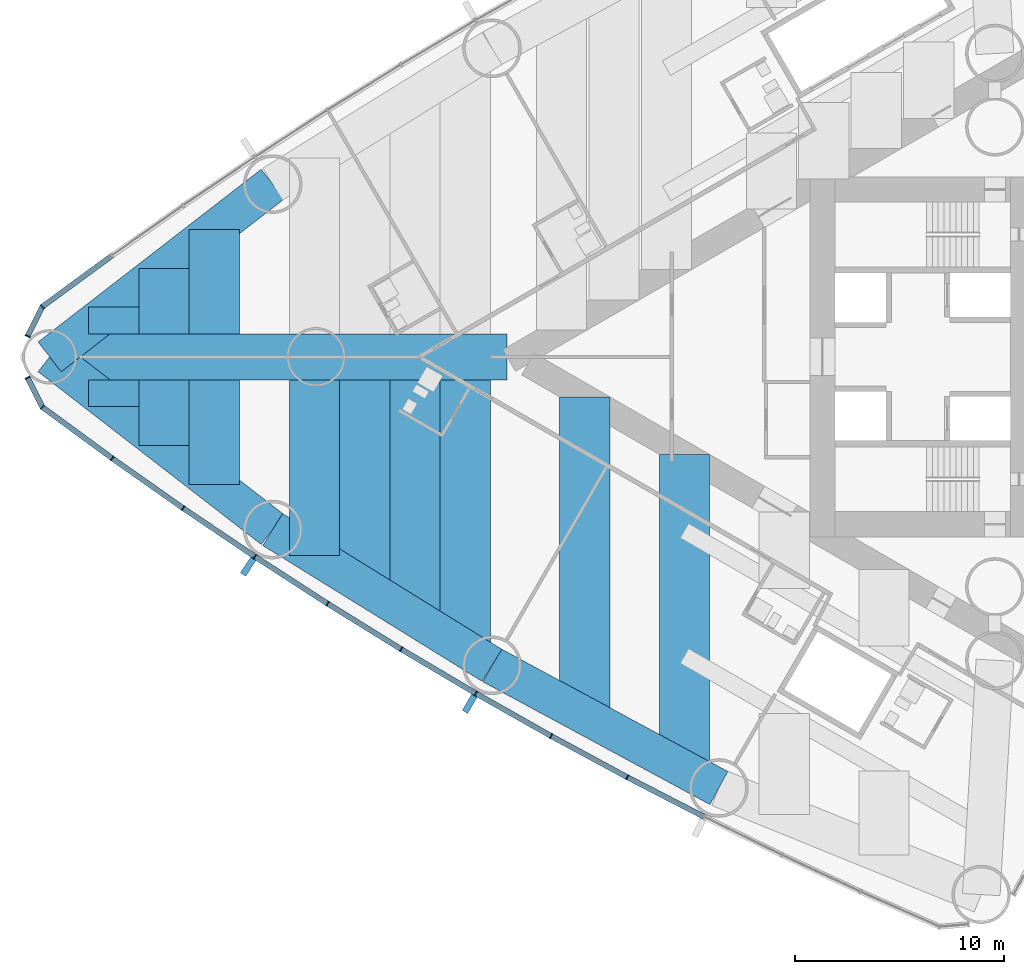
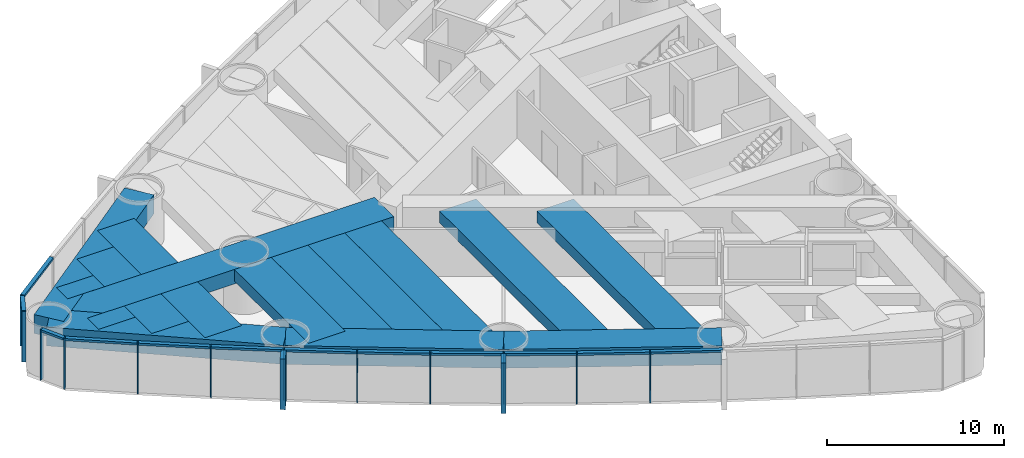
# One storey, part 2 of 19: 26 members, 17 beams, 2 elements without a shape of their own.
"""IFC4 building model written with IfcOpenShell, lengths in metres."""

import ifcopenshell
import ifcopenshell.guid

model = None  # the IFC model being written
_history = None  # IfcOwnerHistory: only IFC2X3 demands one
_inside = {}  # id of a spatial element -> (the spatial element, [elements in it])
_under = {}  # id of a project, library or spatial element -> (it, [spatial elements below it])
_declared = {}  # id of a project -> (the project, [libraries it declares])
_typed = {}  # id of a type object -> (the type object, [elements of that type])
_made_of = {}  # id of a material, layer set ... -> (it, [elements and type objects made of it])


def new_model(schema):
    """Start an empty IFC model of exactly this schema.

    Asked for "IFC4X3", IfcOpenShell would pick the latest addendum, in which some entities
    have other attributes; the version numbers below select the first issue.
    IFC2X3 requires an IfcOwnerHistory on every rooted entity: one is made here for all.
    """
    global model, _history
    if schema == "IFC4X3":
        model = ifcopenshell.file(schema_version=(4, 3, 0, 0))
    else:
        model = ifcopenshell.file(schema=schema)
    _inside.clear()
    _under.clear()
    _declared.clear()
    _typed.clear()
    _made_of.clear()
    _history = None
    if model.schema == "IFC2X3":
        org = make("IfcOrganization", Name="unknown")
        user = make(
            "IfcPersonAndOrganization",
            ThePerson=make("IfcPerson", FamilyName="unknown"),
            TheOrganization=org,
        )
        app = make(
            "IfcApplication",
            ApplicationDeveloper=org,
            Version="unknown",
            ApplicationFullName="unknown",
            ApplicationIdentifier="unknown",
        )
        _history = make(
            "IfcOwnerHistory",
            OwningUser=user,
            OwningApplication=app,
            ChangeAction="ADDED",
            CreationDate=0,
        )
    return model


def make(cls, **values):
    """One entity of the class cls with the attributes given. An attribute that is None is left unset."""
    return model.create_entity(
        cls, **{name: value for name, value in values.items() if value is not None}
    )


def rooted(cls, **values):
    """An entity with a GlobalId (a new one), such as an element, a storey or a relation."""
    return make(cls, GlobalId=ifcopenshell.guid.new(), OwnerHistory=_history, **values)


def si_unit(unit_type, name, prefix=None):
    """IfcSIUnit, for example si_unit("LENGTHUNIT", "METRE", prefix="MILLI")."""
    return make("IfcSIUnit", UnitType=unit_type, Prefix=prefix, Name=name)


def assignment(units):
    """IfcUnitAssignment: the units of a project."""
    return None if units is None else make("IfcUnitAssignment", Units=units)


def point(xyz):
    """IfcCartesianPoint."""
    return None if xyz is None else make("IfcCartesianPoint", Coordinates=xyz)


def direction(xyz):
    """IfcDirection."""
    return None if xyz is None else make("IfcDirection", DirectionRatios=xyz)


def frame(location, z_axis=None, x_axis=None):
    """IfcAxis2Placement3D, a coordinate frame: its origin and axes. An axis left out is left unset."""
    return make(
        "IfcAxis2Placement3D",
        Location=point(location),
        Axis=direction(z_axis),
        RefDirection=direction(x_axis),
    )


def frame_2d(location, x_axis=None):
    """IfcAxis2Placement2D, a coordinate frame in the plane: its origin and x axis."""
    return make(
        "IfcAxis2Placement2D", Location=point(location), RefDirection=direction(x_axis)
    )


def origin():
    """The frame at (0, 0, 0) with its axes left unset."""
    return frame((0.0, 0.0, 0.0))


def origin_2d():
    """The frame at (0, 0) in the plane with its x axis left unset."""
    return frame_2d((0.0, 0.0))


def place(relative_to, where):
    """IfcLocalPlacement: puts the frame where relative to a parent placement (None: the world)."""
    return make(
        "IfcLocalPlacement", PlacementRelTo=relative_to, RelativePlacement=where
    )


def context(
    kind, dimensions, precision=None, world=None, true_north=None, identifier=None
):
    """IfcGeometricRepresentationContext, for example the 3D "Model" context."""
    return make(
        "IfcGeometricRepresentationContext",
        ContextIdentifier=identifier,
        ContextType=kind,
        CoordinateSpaceDimension=dimensions,
        Precision=precision,
        WorldCoordinateSystem=world,
        TrueNorth=true_north,
    )


def subcontext(parent, identifier, kind, view, scale=None):
    """IfcGeometricRepresentationSubContext, for example "Body" below "Model"."""
    return make(
        "IfcGeometricRepresentationSubContext",
        ContextIdentifier=identifier,
        ContextType=kind,
        ParentContext=parent,
        TargetScale=scale,
        TargetView=view,
    )


def project(units=None, contexts=None):
    """IfcProject with its units and contexts."""
    return rooted(
        "IfcProject",
        Name="project",
        RepresentationContexts=contexts,
        UnitsInContext=assignment(units),
    )


def spatial(cls, under=None, at=None, **own):
    """A site, building, storey or space (cls), placed at a placement, below another one or the project."""
    s = rooted(cls, ObjectPlacement=at, **own)
    if under is not None:
        _under.setdefault(under.id(), (under, []))[1].append(s)
    return s


def profile(cls, at=None, kind="AREA", **sizes):
    """A parametric profile (cls). Its sizes go by their IFC names, for example OverallWidth=200.0."""
    return make(cls, ProfileType=kind, Position=at, **sizes)


def rectangle(**sizes):
    """IfcRectangleProfileDef."""
    return profile("IfcRectangleProfileDef", **sizes)


def extrude(swept, where, along, depth):
    """IfcExtrudedAreaSolid: the profile swept, set in the frame where, extruded along a direction by depth."""
    return make(
        "IfcExtrudedAreaSolid",
        SweptArea=swept,
        Position=where,
        ExtrudedDirection=direction(along),
        Depth=depth,
    )


def shape(context_of_items, identifier, shape_type, items):
    """IfcShapeRepresentation: the items that make up one representation, for example the "Body"."""
    return make(
        "IfcShapeRepresentation",
        ContextOfItems=context_of_items,
        RepresentationIdentifier=identifier,
        RepresentationType=shape_type,
        Items=items,
    )


def material(Name=None, Category=None):
    """IfcMaterial."""
    return make("IfcMaterial", Name=Name, Category=Category)


def material_profile(
    of_material, cross_section, Name=None, Category=None, Priority=None
):
    """IfcMaterialProfile: a cross section and its material."""
    return make(
        "IfcMaterialProfile",
        Name=Name,
        Material=of_material,
        Profile=cross_section,
        Priority=Priority,
        Category=Category,
    )


def profile_set(profiles, Name=None, composite=None):
    """IfcMaterialProfileSet."""
    return make(
        "IfcMaterialProfileSet",
        Name=Name,
        MaterialProfiles=profiles,
        CompositeProfile=composite,
    )


def made_of(thing, what):
    """Note that an element or type object is made of a material, layer set ...; save() writes the relation."""
    if what is not None:
        _made_of.setdefault(what.id(), (what, []))[1].append(thing)
    return thing


def type_object(cls, material=None, **own):
    """A type object (cls), such as IfcWallType, which elements share."""
    return made_of(rooted(cls, **own), material)


def element(
    cls,
    number,
    at=None,
    inside=None,
    cuts=None,
    type_object=None,
    material=None,
    context=None,
    identifier="Body",
    shape_type=None,
    held_by="IfcProductDefinitionShape",
    body=None,
    shapes=None,
    **own,
):
    """One element of the class cls, such as IfcWall. Its Tag is "e" and its number.

    at: its placement. inside: the storey or other place that contains it. cuts: it is an
    opening in that element (IfcRelVoidsElement). A single representation is given by context,
    identifier, shape_type and body (its items); several are given by shapes. held_by: the class
    of the entity that holds the representations. save() writes the other relations.
    """
    e = rooted(cls, Tag="e%d" % number, ObjectPlacement=at, **own)
    if body is not None:
        shapes = [shape(context, identifier, shape_type, body)]
    if shapes is not None:
        e.Representation = make(held_by, Representations=shapes)
    if inside is not None:
        _inside.setdefault(inside.id(), (inside, []))[1].append(e)
    if cuts is not None:
        rooted(
            "IfcRelVoidsElement", RelatingBuildingElement=cuts, RelatedOpeningElement=e
        )
    if type_object is not None:
        _typed.setdefault(type_object.id(), (type_object, []))[1].append(e)
    return made_of(e, material)


def aggregate(whole, parts):
    """IfcRelAggregates: a whole, such as a stair, and the parts it consists of."""
    return rooted("IfcRelAggregates", RelatingObject=whole, RelatedObjects=parts)


def save(model, path):
    """Write the relations noted so far, then the file.

    IfcRelAggregates (storeys below a building ...), IfcRelContainedInSpatialStructure (elements
    in a storey), IfcRelDefinesByType, IfcRelAssociatesMaterial and IfcRelDeclares: one each for
    every whole, place, type object, material and project.
    """
    for whole, parts in _under.values():
        aggregate(whole, parts)
    for where, things in _inside.values():
        rooted(
            "IfcRelContainedInSpatialStructure",
            RelatedElements=things,
            RelatingStructure=where,
        )
    for kind, things in _typed.values():
        rooted("IfcRelDefinesByType", RelatedObjects=things, RelatingType=kind)
    for what, things in _made_of.values():
        rooted("IfcRelAssociatesMaterial", RelatedObjects=things, RelatingMaterial=what)
    for by, libraries in _declared.values():
        rooted("IfcRelDeclares", RelatingContext=by, RelatedDefinitions=libraries)
    model.write(path)


model = new_model("IFC4")

# Units and contexts
model_context = context("Model", 3, precision=1e-05, world=origin(), true_north=direction((0.0, 1.0)))
body_context = subcontext(model_context, "Body", "Model", "MODEL_VIEW")
ifc_project = project(units=[si_unit("LENGTHUNIT", "METRE"), si_unit("AREAUNIT", "SQUARE_METRE"), si_unit("VOLUMEUNIT", "CUBIC_METRE"), si_unit("PLANEANGLEUNIT", "RADIAN"), si_unit("MASSUNIT", "GRAM", prefix="KILO")], contexts=[model_context])

# Site, building, storey
site_placement = place(None, origin())
site = spatial("IfcSite", under=ifc_project, at=site_placement, CompositionType="ELEMENT")
building_placement = place(site_placement, origin())
building = spatial("IfcBuilding", under=site, at=building_placement, Name="Lancet Gate Hotel", CompositionType="ELEMENT")
storey_placement = place(building_placement, frame((0.0, 0.0, 67.0)))
storey = spatial("IfcBuildingStorey", under=building, at=storey_placement, Name="L17", CompositionType="ELEMENT", Elevation=67.0)

# Curtain wall, members
ifc_material_1 = material(Name="Aluminium curtain wall", Category="aluminium")
curtain_wall_type = type_object("IfcCurtainWallType", Name="Tower unitised curtain wall", PredefinedType="USERDEFINED", material=ifc_material_1)
curtain_wall_1_placement = place(storey_placement, origin())
curtain_wall_1 = element("IfcCurtainWall", 1, at=curtain_wall_1_placement, inside=storey, type_object=curtain_wall_type, Name="T1 L17 curtain wall 2", ObjectType="UNITISED CURTAIN WALL", PredefinedType="USERDEFINED")
ifc_material_2 = material(Name="Aluminium mullion", Category="aluminium")
ifc_material_profile_1 = material_profile(ifc_material_2, rectangle(XDim=0.06494140625, YDim=0.25, at=origin_2d()), Name="MULLION 65x250")
ifc_profile_set_1 = profile_set([ifc_material_profile_1], Name="Aluminium mullion")
member_type_1 = type_object("IfcMemberType", Name="Aluminium mullion 65x250", PredefinedType="MULLION", material=ifc_profile_set_1)
member_1_placement = place(storey_placement, frame((-74.5830078125, 2.401611328125, 0.0), z_axis=(0.0, 0.0, 1.0), x_axis=(-0.723695580132, -0.690119342793, 0.0)))
member_1 = element("IfcMember", 2, at=member_1_placement, type_object=member_type_1, Name="T1 L17 curtain wall 2 mullion 14", PredefinedType="MULLION", context=body_context, shape_type="SweptSolid", body=[
    extrude(rectangle(XDim=0.06494140625, YDim=0.25, at=origin_2d()), origin(), (0.0, 0.0, 1.0), 3.5),
])
member_2_placement = place(storey_placement, frame((-75.287109375, 0.994873046875, 0.0), z_axis=(0.0, 0.0, 1.0), x_axis=(-0.447628324726, -0.89421970617, 0.0)))
member_2 = element("IfcMember", 3, at=member_2_placement, type_object=member_type_1, Name="T1 L17 curtain wall 2 mullion 15", PredefinedType="MULLION", context=body_context, shape_type="SweptSolid", body=[
    extrude(rectangle(XDim=0.06494140625, YDim=0.25, at=origin_2d()), origin(), (0.0, 0.0, 1.0), 3.5),
])

curtain_wall_2_placement = place(storey_placement, origin())
curtain_wall_2 = element("IfcCurtainWall", 4, at=curtain_wall_2_placement, inside=storey, type_object=curtain_wall_type, Name="T1 L17 curtain wall 3", ObjectType="UNITISED CURTAIN WALL", PredefinedType="USERDEFINED")
member_3_placement = place(storey_placement, frame((-75.287109375, -0.994873046875, 0.0), z_axis=(0.0, 0.0, 1.0), x_axis=(0.447628324726, -0.89421970617, 0.0)))
member_3 = element("IfcMember", 5, at=member_3_placement, type_object=member_type_1, Name="T1 L17 curtain wall 3 mullion 1", PredefinedType="MULLION", context=body_context, shape_type="SweptSolid", body=[
    extrude(rectangle(XDim=0.06494140625, YDim=0.25, at=origin_2d()), origin(), (0.0, 0.0, 1.0), 3.5),
])
member_4_placement = place(storey_placement, frame((-74.5830078125, -2.401611328125, 0.0), z_axis=(0.0, 0.0, 1.0), x_axis=(0.723695580132, -0.690119342793, 0.0)))
member_4 = element("IfcMember", 6, at=member_4_placement, type_object=member_type_1, Name="T1 L17 curtain wall 3 mullion 2", PredefinedType="MULLION", context=body_context, shape_type="SweptSolid", body=[
    extrude(rectangle(XDim=0.06494140625, YDim=0.25, at=origin_2d()), origin(), (0.0, 0.0, 1.0), 3.5),
])
member_5_placement = place(storey_placement, frame((-71.244384765625, -4.85009765625, 0.0), z_axis=(0.0, 0.0, 1.0), x_axis=(0.812146623168, -0.583453393578, 0.0)))
member_5 = element("IfcMember", 7, at=member_5_placement, type_object=member_type_1, Name="T1 L17 curtain wall 3 mullion 3", PredefinedType="MULLION", context=body_context, shape_type="SweptSolid", body=[
    extrude(rectangle(XDim=0.06494140625, YDim=0.25, at=origin_2d()), origin(), (0.0, 0.0, 1.0), 3.5),
])
member_6_placement = place(storey_placement, frame((-67.858154296875, -7.232666015625, 0.0), z_axis=(0.0, 0.0, 1.0), x_axis=(0.823425148573, -0.56742490666, 0.0)))
member_6 = element("IfcMember", 8, at=member_6_placement, type_object=member_type_1, Name="T1 L17 curtain wall 3 mullion 4", PredefinedType="MULLION", context=body_context, shape_type="SweptSolid", body=[
    extrude(rectangle(XDim=0.06494140625, YDim=0.25, at=origin_2d()), origin(), (0.0, 0.0, 1.0), 3.5),
])
member_7_placement = place(storey_placement, frame((-64.42626953125, -9.548583984375, 0.0), z_axis=(0.0, 0.0, 1.0), x_axis=(0.834387381945, -0.55117846189, 0.0)))
member_7 = element("IfcMember", 9, at=member_7_placement, type_object=member_type_1, Name="T1 L17 curtain wall 3 mullion 5", PredefinedType="MULLION", context=body_context, shape_type="SweptSolid", body=[
    extrude(rectangle(XDim=0.06494140625, YDim=0.25, at=origin_2d()), origin(), (0.0, 0.0, 1.0), 3.5),
])
member_8_placement = place(storey_placement, frame((-60.949462890625, -11.796630859375, 0.0), z_axis=(0.0, 0.0, 1.0), x_axis=(0.845029112489, -0.534720299827, 0.0)))
member_8 = element("IfcMember", 10, at=member_8_placement, type_object=member_type_1, Name="T1 L17 curtain wall 3 mullion 6", PredefinedType="MULLION", context=body_context, shape_type="SweptSolid", body=[
    extrude(rectangle(XDim=0.06494140625, YDim=0.25, at=origin_2d()), origin(), (0.0, 0.0, 1.0), 3.5),
])
member_9_placement = place(storey_placement, frame((-57.42919921875, -13.97607421875, 0.0), z_axis=(0.0, 0.0, 1.0), x_axis=(0.855346252548, -0.518056742309, 0.0)))
member_9 = element("IfcMember", 11, at=member_9_placement, type_object=member_type_1, Name="T1 L17 curtain wall 3 mullion 7", PredefinedType="MULLION", context=body_context, shape_type="SweptSolid", body=[
    extrude(rectangle(XDim=0.06494140625, YDim=0.25, at=origin_2d()), origin(), (0.0, 0.0, 1.0), 3.5),
])
member_10_placement = place(storey_placement, frame((-53.866943359375, -16.086181640625, 0.0), z_axis=(0.0, 0.0, 1.0), x_axis=(0.86533483912, -0.501194190115, 0.0)))
member_10 = element("IfcMember", 12, at=member_10_placement, type_object=member_type_1, Name="T1 L17 curtain wall 3 mullion 8", PredefinedType="MULLION", context=body_context, shape_type="SweptSolid", body=[
    extrude(rectangle(XDim=0.06494140625, YDim=0.25, at=origin_2d()), origin(), (0.0, 0.0, 1.0), 3.5),
])
member_11_placement = place(storey_placement, frame((-50.26416015625, -18.1259765625, 0.0), z_axis=(0.0, 0.0, 1.0), x_axis=(0.874991035403, -0.484139120464, 0.0)))
member_11 = element("IfcMember", 13, at=member_11_placement, type_object=member_type_1, Name="T1 L17 curtain wall 3 mullion 9", PredefinedType="MULLION", context=body_context, shape_type="SweptSolid", body=[
    extrude(rectangle(XDim=0.06494140625, YDim=0.25, at=origin_2d()), origin(), (0.0, 0.0, 1.0), 3.5),
])
member_12_placement = place(storey_placement, frame((-46.6220703125, -20.094970703125, 0.0), z_axis=(0.0, 0.0, 1.0), x_axis=(0.884311132302, -0.466898084475, 0.0)))
member_12 = element("IfcMember", 14, at=member_12_placement, type_object=member_type_1, Name="T1 L17 curtain wall 3 mullion 10", PredefinedType="MULLION", context=body_context, shape_type="SweptSolid", body=[
    extrude(rectangle(XDim=0.06494140625, YDim=0.25, at=origin_2d()), origin(), (0.0, 0.0, 1.0), 3.5),
])

# Member
ifc_material_3 = material(Name="Aluminium transom", Category="aluminium")
ifc_material_profile_2 = material_profile(ifc_material_3, rectangle(XDim=0.25, YDim=0.14990234375, at=origin_2d()), Name="TRANSOM 250x150")
ifc_profile_set_2 = profile_set([ifc_material_profile_2], Name="Aluminium transom")
member_type_2 = type_object("IfcMemberType", Name="Aluminium transom 250x150", PredefinedType="USERDEFINED", material=ifc_profile_set_2)
member_13_placement = place(storey_placement, frame((-71.2705078125, 4.8310546875, 3.425048828125), z_axis=(-0.806366902144, -0.59141560609, 0.0), x_axis=(0.59141560609, -0.806366902144, 0.0)))
member_13 = element("IfcMember", 15, at=member_13_placement, type_object=member_type_2, Name="T1 L17 curtain wall 2 transom 13", ObjectType="TRANSOM", PredefinedType="USERDEFINED", context=body_context, shape_type="SweptSolid", body=[
    extrude(rectangle(XDim=0.25, YDim=0.14990234375, at=origin_2d()), origin(), (0.0, 0.0, 1.0), 4.0751953125),
])

member_14_placement = place(storey_placement, frame((-74.597412109375, 2.37255859375, 3.425048828125), z_axis=(-0.447731503446, -0.894168049542, 0.0), x_axis=(0.894168049542, -0.447731503446, 0.0)))
member_14 = element("IfcMember", 16, at=member_14_placement, type_object=member_type_2, Name="T1 L17 curtain wall 2 transom 14", ObjectType="TRANSOM", PredefinedType="USERDEFINED", context=body_context, shape_type="SweptSolid", body=[
    extrude(rectangle(XDim=0.25, YDim=0.14990234375, at=origin_2d()), origin(), (0.0, 0.0, 1.0), 1.50830078125),
])

aggregate(curtain_wall_1, [member_1, member_2, member_13, member_14])

member_15_placement = place(storey_placement, frame((-75.272705078125, -1.02392578125, 3.425048828125), z_axis=(0.447731503446, -0.894168049542, 0.0), x_axis=(0.894168049542, 0.447731503446, 0.0)))
member_15 = element("IfcMember", 17, at=member_15_placement, type_object=member_type_2, Name="T1 L17 curtain wall 3 transom 1", ObjectType="TRANSOM", PredefinedType="USERDEFINED", context=body_context, shape_type="SweptSolid", body=[
    extrude(rectangle(XDim=0.25, YDim=0.14990234375, at=origin_2d()), origin(), (0.0, 0.0, 1.0), 1.50830078125),
])

member_16_placement = place(storey_placement, frame((-74.556640625, -2.4208984375, 3.425048828125), z_axis=(0.806366902144, -0.59141560609, 0.0), x_axis=(0.59141560609, 0.806366902144, 0.0)))
member_16 = element("IfcMember", 18, at=member_16_placement, type_object=member_type_2, Name="T1 L17 curtain wall 3 transom 2", ObjectType="TRANSOM", PredefinedType="USERDEFINED", context=body_context, shape_type="SweptSolid", body=[
    extrude(rectangle(XDim=0.25, YDim=0.14990234375, at=origin_2d()), origin(), (0.0, 0.0, 1.0), 4.0751953125),
])

member_17_placement = place(storey_placement, frame((-71.2177734375, -4.868896484375, 3.425048828125), z_axis=(0.817833568345, -0.57545482402, 0.0), x_axis=(0.57545482402, 0.817833568345, 0.0)))
member_17 = element("IfcMember", 19, at=member_17_placement, type_object=member_type_2, Name="T1 L17 curtain wall 3 transom 3", ObjectType="TRANSOM", PredefinedType="USERDEFINED", context=body_context, shape_type="SweptSolid", body=[
    extrude(rectangle(XDim=0.25, YDim=0.14990234375, at=origin_2d()), origin(), (0.0, 0.0, 1.0), 4.075439453125),
])

member_18_placement = place(storey_placement, frame((-67.831298828125, -7.2509765625, 3.425048828125), z_axis=(0.828959086782, -0.559309245804, 0.0), x_axis=(0.559309245804, 0.828959086782, 0.0)))
member_18 = element("IfcMember", 20, at=member_18_placement, type_object=member_type_2, Name="T1 L17 curtain wall 3 transom 4", ObjectType="TRANSOM", PredefinedType="USERDEFINED", context=body_context, shape_type="SweptSolid", body=[
    extrude(rectangle(XDim=0.25, YDim=0.14990234375, at=origin_2d()), origin(), (0.0, 0.0, 1.0), 4.0751953125),
])

member_19_placement = place(storey_placement, frame((-64.39892578125, -9.566162109375, 3.425048828125), z_axis=(0.839729242404, -0.543005340169, 0.0), x_axis=(0.543005340169, 0.839729242404, 0.0)))
member_19 = element("IfcMember", 21, at=member_19_placement, type_object=member_type_2, Name="T1 L17 curtain wall 3 transom 5", ObjectType="TRANSOM", PredefinedType="USERDEFINED", context=body_context, shape_type="SweptSolid", body=[
    extrude(rectangle(XDim=0.25, YDim=0.14990234375, at=origin_2d()), origin(), (0.0, 0.0, 1.0), 4.0751953125),
])

member_20_placement = place(storey_placement, frame((-60.921875, -11.813720703125, 3.425048828125), z_axis=(0.850242165643, -0.526391736032, 0.0), x_axis=(0.526391736032, 0.850242165643, 0.0)))
member_20 = element("IfcMember", 22, at=member_20_placement, type_object=member_type_2, Name="T1 L17 curtain wall 3 transom 6", ObjectType="TRANSOM", PredefinedType="USERDEFINED", context=body_context, shape_type="SweptSolid", body=[
    extrude(rectangle(XDim=0.25, YDim=0.14990234375, at=origin_2d()), origin(), (0.0, 0.0, 1.0), 4.075439453125),
])

member_21_placement = place(storey_placement, frame((-57.4013671875, -13.99267578125, 3.425048828125), z_axis=(0.86039174806, -0.509633240547, 0.0), x_axis=(0.509633240547, 0.86039174806, 0.0)))
member_21 = element("IfcMember", 23, at=member_21_placement, type_object=member_type_2, Name="T1 L17 curtain wall 3 transom 7", ObjectType="TRANSOM", PredefinedType="USERDEFINED", context=body_context, shape_type="SweptSolid", body=[
    extrude(rectangle(XDim=0.25, YDim=0.14990234375, at=origin_2d()), origin(), (0.0, 0.0, 1.0), 4.0751953125),
])

member_22_placement = place(storey_placement, frame((-53.838623046875, -16.102294921875, 3.425048828125), z_axis=(0.870197729943, -0.492702659625, 0.0), x_axis=(0.492702659625, 0.870197729943, 0.0)))
member_22 = element("IfcMember", 24, at=member_22_placement, type_object=member_type_2, Name="T1 L17 curtain wall 3 transom 8", ObjectType="TRANSOM", PredefinedType="USERDEFINED", context=body_context, shape_type="SweptSolid", body=[
    extrude(rectangle(XDim=0.25, YDim=0.14990234375, at=origin_2d()), origin(), (0.0, 0.0, 1.0), 4.0751953125),
])

member_23_placement = place(storey_placement, frame((-50.235595703125, -18.1416015625, 3.425048828125), z_axis=(0.87971396408, -0.475503250675, 0.0), x_axis=(0.475503250675, 0.87971396408, 0.0)))
member_23 = element("IfcMember", 25, at=member_23_placement, type_object=member_type_2, Name="T1 L17 curtain wall 3 transom 9", ObjectType="TRANSOM", PredefinedType="USERDEFINED", context=body_context, shape_type="SweptSolid", body=[
    extrude(rectangle(XDim=0.25, YDim=0.14990234375, at=origin_2d()), origin(), (0.0, 0.0, 1.0), 4.0751953125),
])

member_24_placement = place(storey_placement, frame((-46.593017578125, -20.10986328125, 3.425048828125), z_axis=(0.888859972399, -0.458178949175, 0.0), x_axis=(0.458178949175, 0.888859972399, 0.0)))
member_24 = element("IfcMember", 26, at=member_24_placement, type_object=member_type_2, Name="T1 L17 curtain wall 3 transom 10", ObjectType="TRANSOM", PredefinedType="USERDEFINED", context=body_context, shape_type="SweptSolid", body=[
    extrude(rectangle(XDim=0.25, YDim=0.14990234375, at=origin_2d()), origin(), (0.0, 0.0, 1.0), 4.0751953125),
])

# Beams
ifc_material_4 = material(Name="Concrete C50/60", Category="concrete")
ifc_material_profile_3 = material_profile(ifc_material_4, rectangle(XDim=1.800048828125, YDim=1.300048828125, at=origin_2d()), Name="RC 1800x1300")
ifc_profile_set_3 = profile_set([ifc_material_profile_3], Name="Concrete C50/60")
beam_type_1 = type_object("IfcBeamType", Name="Edge beam RC 1800x1300", PredefinedType="SPANDREL", material=ifc_profile_set_3)
for number, where, z_axis, x_axis, name in (
    (27, (-63.57177734375, 8.255126953125, 2.60009765625), (-0.790736428665, -0.612156761281, 0.0), (0.612156761281, -0.790736428665, 0.0), "T1 edge beam EB1 L17"),
    (28, (-74.235107421875, 0.0, 2.60009765625), (0.790736428665, -0.612156761281, 0.0), (0.612156761281, 0.790736428665, 0.0), "T1 edge beam EB1 L17"),
):
    element("IfcBeam", number, at=place(storey_placement, frame(where, z_axis=z_axis, x_axis=x_axis)), inside=storey, type_object=beam_type_1, Name=name, PredefinedType="SPANDREL", context=body_context, shape_type="SweptSolid", body=[
        extrude(rectangle(XDim=1.800048828125, YDim=1.300048828125, at=origin_2d()), origin(), (0.0, 0.0, 1.0), 13.4853515625),
    ])
for number, where, z_axis, x_axis, name in (
    (29, (-63.57177734375, -8.255126953125, 2.60009765625), (0.850225894333, -0.526418016984, 0.0), (0.526418016984, 0.850225894333, 0.0), "T1 edge beam EB1 L17"),
    (30, (-53.090087890625, -14.744873046875, 2.60009765625), (0.879692855603, -0.475542300749, 0.0), (0.475542300749, 0.879692855603, 0.0), "T1 edge beam EB1 L17"),
):
    element("IfcBeam", number, at=place(storey_placement, frame(where, z_axis=z_axis, x_axis=x_axis)), inside=storey, type_object=beam_type_1, Name=name, PredefinedType="SPANDREL", context=body_context, shape_type="SweptSolid", body=[
        extrude(rectangle(XDim=1.800048828125, YDim=1.300048828125, at=origin_2d()), origin(), (0.0, 0.0, 1.0), 12.328125),
    ])

# Member
ifc_material_5 = material(Name="Precast concrete C50/60", Category="concrete")
ifc_material_profile_4 = material_profile(ifc_material_5, rectangle(XDim=0.300048828125, YDim=0.89990234375, at=origin_2d()), Name="FIN 300x900")
ifc_profile_set_4 = profile_set([ifc_material_profile_4], Name="Precast concrete C50/60")
member_type_3 = type_object("IfcMemberType", Name="Exposed concrete fin 300x900", PredefinedType="USERDEFINED", material=ifc_profile_set_4)
member_25_placement = place(storey_placement, frame((-64.7431640625, -10.0283203125, 0.0), z_axis=(0.0, 0.0, 1.0), x_axis=(0.834387381945, -0.55117846189, 0.0)))
member_25 = element("IfcMember", 31, at=member_25_placement, type_object=member_type_3, Name="T1 L17 curtain wall 3 fin 5", ObjectType="FIN", PredefinedType="USERDEFINED", context=body_context, shape_type="SweptSolid", body=[
    extrude(rectangle(XDim=0.300048828125, YDim=0.89990234375, at=origin_2d()), origin(), (0.0, 0.0, 1.0), 3.5),
])

member_26_placement = place(storey_placement, frame((-54.1552734375, -16.583740234375, 0.0), z_axis=(0.0, 0.0, 1.0), x_axis=(0.86533483912, -0.501194190115, 0.0)))
member_26 = element("IfcMember", 32, at=member_26_placement, type_object=member_type_3, Name="T1 L17 curtain wall 3 fin 8", ObjectType="FIN", PredefinedType="USERDEFINED", context=body_context, shape_type="SweptSolid", body=[
    extrude(rectangle(XDim=0.300048828125, YDim=0.89990234375, at=origin_2d()), origin(), (0.0, 0.0, 1.0), 3.5),
])

aggregate(curtain_wall_2, [member_3, member_4, member_5, member_6, member_7, member_25, member_8, member_9, member_10, member_26, member_11, member_12, member_15, member_16, member_17, member_18, member_19, member_20, member_21, member_22, member_23, member_24])

# Beams
ifc_material_6 = material(Name="Concrete C50/60", Category="concrete")
ifc_material_profile_5 = material_profile(ifc_material_6, rectangle(XDim=2.39990234375, YDim=0.800048828125, at=origin_2d()), Name="RC 2400x800")
ifc_profile_set_5 = profile_set([ifc_material_profile_5], Name="Concrete C50/60")
beam_type_2 = type_object("IfcBeamType", Name="Floor beam RC 2400x800", PredefinedType="BEAM", material=ifc_profile_set_5)
beam_1_placement = place(storey_placement, frame((-43.891357421875, -4.663330078125, 2.85009765625), z_axis=(0.0, -1.0, 0.0), x_axis=(1.0, 0.0, 0.0)))
element("IfcBeam", 33, at=beam_1_placement, inside=storey, type_object=beam_type_2, Name="T1 floor beam F08N L17", PredefinedType="BEAM", context=body_context, shape_type="SweptSolid", body=[
    extrude(rectangle(XDim=2.39990234375, YDim=0.800048828125, at=origin_2d()), origin(), (0.0, 0.0, 1.0), 15.05419921875),
])
beam_2_placement = place(storey_placement, frame((-48.66015625, -1.909912109375, 2.85009765625), z_axis=(0.0, -1.0, 0.0), x_axis=(1.0, 0.0, 0.0)))
element("IfcBeam", 34, at=beam_2_placement, inside=storey, type_object=beam_type_2, Name="T1 floor beam F11N L17", PredefinedType="BEAM", context=body_context, shape_type="SweptSolid", body=[
    extrude(rectangle(XDim=2.39990234375, YDim=0.800048828125, at=origin_2d()), origin(), (0.0, 0.0, 1.0), 15.229736328125),
])
beam_3_placement = place(storey_placement, frame((-54.3681640625, -1.10009765625, 2.85009765625), z_axis=(0.0, -1.0, 0.0), x_axis=(1.0, 0.0, 0.0)))
element("IfcBeam", 35, at=beam_3_placement, inside=storey, type_object=beam_type_2, Name="T1 floor beam F14N L17", PredefinedType="BEAM", context=body_context, shape_type="SweptSolid", body=[
    extrude(rectangle(XDim=2.39990234375, YDim=0.800048828125, at=origin_2d()), origin(), (0.0, 0.0, 1.0), 12.853515625),
])
beam_4_placement = place(storey_placement, frame((-56.768310546875, -1.10009765625, 2.85009765625), z_axis=(0.0, -1.0, 0.0), x_axis=(1.0, 0.0, 0.0)))
element("IfcBeam", 36, at=beam_4_placement, inside=storey, type_object=beam_type_2, Name="T1 floor beam F16N L17", PredefinedType="BEAM", context=body_context, shape_type="SweptSolid", body=[
    extrude(rectangle(XDim=2.39990234375, YDim=0.800048828125, at=origin_2d()), origin(), (0.0, 0.0, 1.0), 11.367431640625),
])
beam_5_placement = place(storey_placement, frame((-59.168212890625, -1.10009765625, 2.85009765625), z_axis=(0.0, -1.0, 0.0), x_axis=(1.0, 0.0, 0.0)))
element("IfcBeam", 37, at=beam_5_placement, inside=storey, type_object=beam_type_2, Name="T1 floor beam F18N L17", PredefinedType="BEAM", context=body_context, shape_type="SweptSolid", body=[
    extrude(rectangle(XDim=2.39990234375, YDim=0.800048828125, at=origin_2d()), origin(), (0.0, 0.0, 1.0), 9.881591796875),
])
beam_6_placement = place(storey_placement, frame((-61.568359375, -1.10009765625, 2.85009765625), z_axis=(0.0, -1.0, 0.0), x_axis=(1.0, 0.0, 0.0)))
element("IfcBeam", 38, at=beam_6_placement, inside=storey, type_object=beam_type_2, Name="T1 floor beam F20N L17", PredefinedType="BEAM", context=body_context, shape_type="SweptSolid", body=[
    extrude(rectangle(XDim=2.39990234375, YDim=0.800048828125, at=origin_2d()), origin(), (0.0, 0.0, 1.0), 8.395751953125),
])
for number, where, z_axis, x_axis, name in (
    (39, (-66.3681640625, 6.09033203125, 2.85009765625), (0.0, -1.0, 0.0), (1.0, 0.0, 0.0), "T1 floor beam F21S L17"),
    (40, (-66.3681640625, -1.10009765625, 2.85009765625), (0.0, -1.0, 0.0), (1.0, 0.0, 0.0), "T1 floor beam F22N L17"),
):
    element("IfcBeam", number, at=place(storey_placement, frame(where, z_axis=z_axis, x_axis=x_axis)), inside=storey, type_object=beam_type_2, Name=name, PredefinedType="BEAM", context=body_context, shape_type="SweptSolid", body=[
        extrude(rectangle(XDim=2.39990234375, YDim=0.800048828125, at=origin_2d()), origin(), (0.0, 0.0, 1.0), 4.990234375),
    ])
for number, where, z_axis, x_axis, name in (
    (41, (-68.768310546875, 4.232421875, 2.85009765625), (0.0, -1.0, 0.0), (1.0, 0.0, 0.0), "T1 floor beam F23S L17"),
    (42, (-68.768310546875, -1.10009765625, 2.85009765625), (0.0, -1.0, 0.0), (1.0, 0.0, 0.0), "T1 floor beam F24N L17"),
):
    element("IfcBeam", number, at=place(storey_placement, frame(where, z_axis=z_axis, x_axis=x_axis)), inside=storey, type_object=beam_type_2, Name=name, PredefinedType="BEAM", context=body_context, shape_type="SweptSolid", body=[
        extrude(rectangle(XDim=2.39990234375, YDim=0.800048828125, at=origin_2d()), origin(), (0.0, 0.0, 1.0), 3.13232421875),
    ])
for number, where, z_axis, x_axis, name in (
    (43, (-71.168212890625, 2.374267578125, 2.85009765625), (0.0, -1.0, 0.0), (1.0, 0.0, 0.0), "T1 floor beam F25S L17"),
    (44, (-71.168212890625, -1.10009765625, 2.85009765625), (0.0, -1.0, 0.0), (1.0, 0.0, 0.0), "T1 floor beam F26N L17"),
):
    element("IfcBeam", number, at=place(storey_placement, frame(where, z_axis=z_axis, x_axis=x_axis)), inside=storey, type_object=beam_type_2, Name=name, PredefinedType="BEAM", context=body_context, shape_type="SweptSolid", body=[
        extrude(rectangle(XDim=2.39990234375, YDim=0.800048828125, at=origin_2d()), origin(), (0.0, 0.0, 1.0), 1.274169921875),
    ])
ifc_material_7 = material(Name="Concrete C50/60", Category="concrete")
ifc_material_profile_6 = material_profile(ifc_material_7, rectangle(XDim=2.199951171875, YDim=1.0, at=origin_2d()), Name="RC 2200x1000")
ifc_profile_set_6 = profile_set([ifc_material_profile_6], Name="Concrete C50/60")
beam_type_3 = type_object("IfcBeamType", Name="Radial floor beam RC 2200x1000", PredefinedType="BEAM", material=ifc_profile_set_6)
beam_7_placement = place(storey_placement, frame((-74.235107421875, 0.0, 2.75), z_axis=(1.0, 0.0, 0.0), x_axis=(0.0, 1.0, 0.0)))
element("IfcBeam", 45, at=beam_7_placement, inside=storey, type_object=beam_type_3, Name="T1 radial beam CA L17", PredefinedType="BEAM", context=body_context, shape_type="SweptSolid", body=[
    extrude(rectangle(XDim=2.199951171875, YDim=1.0, at=origin_2d()), origin(), (0.0, 0.0, 1.0), 21.866943359375),
])

save(model, "model.ifc")
